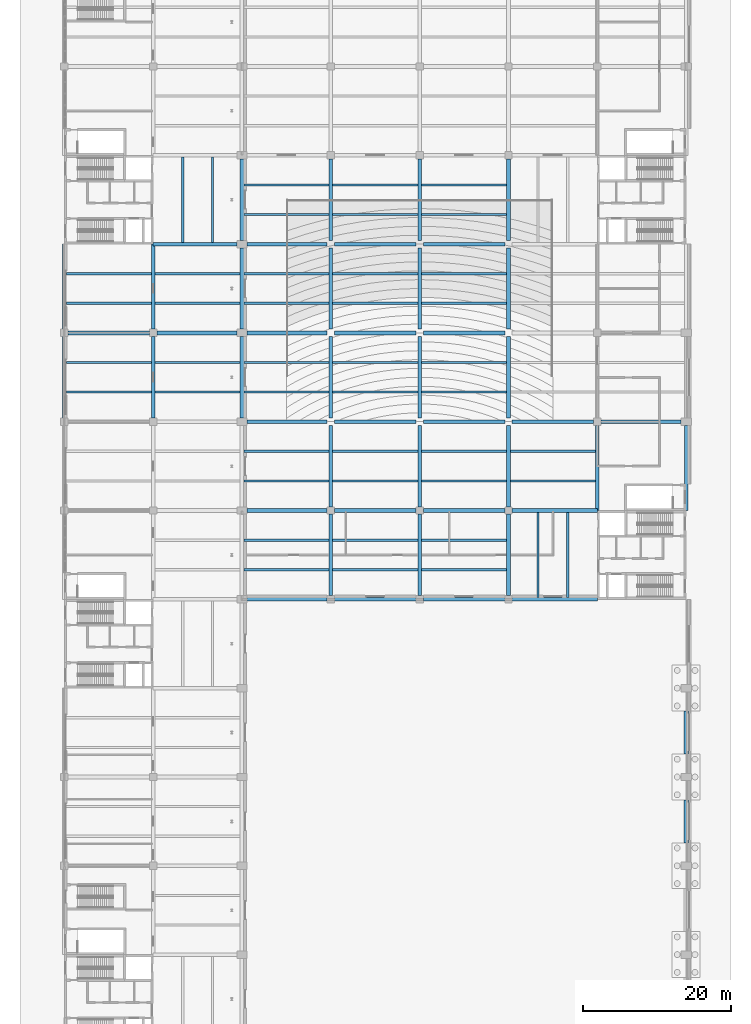
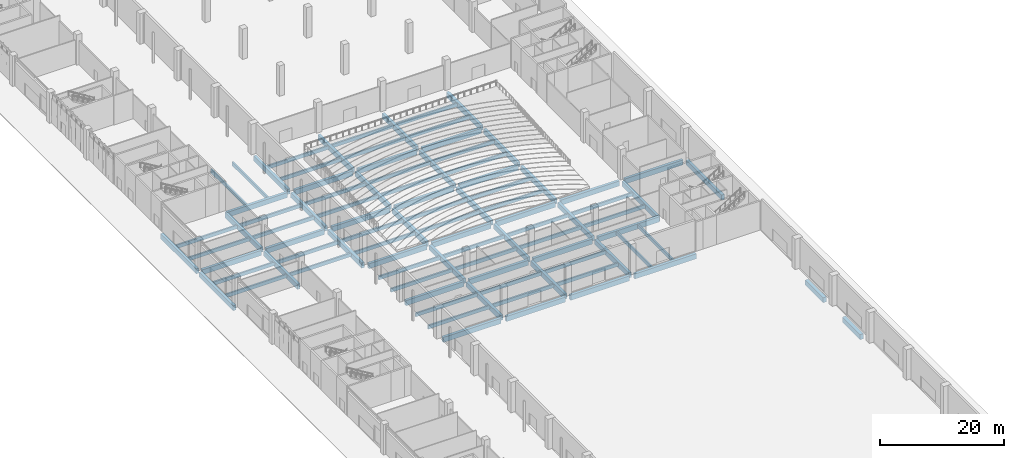
# One storey, part 14 of 59: 92 beams.
"""IFC4 building model written with IfcOpenShell, lengths in metres."""

from ifc_helpers import new_model, si_unit, direction, frame, origin, origin_2d, place, context, subcontext, project, spatial, rectangle, extrude, material, material_profile, profile_set, type_object, element, save


model = new_model("IFC4")

# Units and contexts
model_context = context("Model", 3, precision=1e-05, world=origin(), true_north=direction((0.0, 1.0)))
body_context = subcontext(model_context, "Body", "Model", "MODEL_VIEW")
ifc_project = project(units=[si_unit("LENGTHUNIT", "METRE"), si_unit("AREAUNIT", "SQUARE_METRE"), si_unit("VOLUMEUNIT", "CUBIC_METRE"), si_unit("PLANEANGLEUNIT", "RADIAN"), si_unit("MASSUNIT", "GRAM", prefix="KILO")], contexts=[model_context])

# Site, building, storey
site_placement = place(None, origin())
site = spatial("IfcSite", under=ifc_project, at=site_placement, CompositionType="ELEMENT")
building_placement = place(site_placement, origin())
building = spatial("IfcBuilding", under=site, at=building_placement, Name="Lilac Gate Convention Centre", CompositionType="ELEMENT")
storey_placement = place(building_placement, origin())
storey = spatial("IfcBuildingStorey", under=building, at=storey_placement, Name="L00", CompositionType="ELEMENT", Elevation=0.0)

# Beams
ifc_material = material(Name="Concrete C40", Category="concrete")
ifc_material_profile_1 = material_profile(ifc_material, rectangle(XDim=0.60009765625, YDim=1.0, at=origin_2d()), Name="RC 600x1000")
ifc_profile_set_1 = profile_set([ifc_material_profile_1], Name="Concrete C40")
beam_type_1 = type_object("IfcBeamType", Name="Ground beam 600x1000 C40", PredefinedType="BEAM", material=ifc_profile_set_1)
for number, where, z_axis, x_axis, name in (
    (1, (90.0, 69.10009765625, -1.10009765625), (0.0, 1.0, 0.0), (-1.0, 0.0, 0.0), "GB1 ground beam PC2-PC2"),
    (2, (90.0, 81.10009765625, -1.10009765625), (0.0, 1.0, 0.0), (-1.0, 0.0, 0.0), "GB1 ground beam PC2-PC2"),
):
    element("IfcBeam", number, at=place(storey_placement, frame(where, z_axis=z_axis, x_axis=x_axis)), inside=storey, type_object=beam_type_1, Name=name, PredefinedType="BEAM", context=body_context, shape_type="SweptSolid", body=[
        extrude(rectangle(XDim=0.60009765625, YDim=1.0, at=origin_2d()), origin(), (0.0, 0.0, 1.0), 5.7998046875),
    ])
ifc_material_profile_2 = material_profile(ifc_material, rectangle(XDim=0.5, YDim=1.0, at=origin_2d()), Name="RC 500x1000")
ifc_profile_set_2 = profile_set([ifc_material_profile_2], Name="Concrete C40")
beam_type_2 = type_object("IfcBeamType", Name="Primary beam 500x1000 C40", PredefinedType="BEAM", material=ifc_profile_set_2)
beam_1_placement = place(storey_placement, frame((30.699951171875, 102.0, -0.800048828125), z_axis=(1.0, 0.0, 0.0), x_axis=(0.0, 1.0, 0.0)))
element("IfcBeam", 3, at=beam_1_placement, inside=storey, type_object=beam_type_2, Name="RB1 L00 3/G-4/G", PredefinedType="BEAM", context=body_context, shape_type="SweptSolid", body=[
    extrude(rectangle(XDim=0.5, YDim=1.0, at=origin_2d()), origin(), (0.0, 0.0, 1.0), 10.800048828125),
])
for number, where, z_axis, x_axis, name in (
    (4, (42.5, 102.0, -0.800048828125), (1.0, 0.0, 0.0), (0.0, 1.0, 0.0), "RB1 L00 4/G-5/G"),
    (5, (54.5, 102.0, -0.800048828125), (1.0, 0.0, 0.0), (0.0, 1.0, 0.0), "RB1 L00 5/G-6/G"),
):
    element("IfcBeam", number, at=place(storey_placement, frame(where, z_axis=z_axis, x_axis=x_axis)), inside=storey, type_object=beam_type_2, Name=name, PredefinedType="BEAM", context=body_context, shape_type="SweptSolid", body=[
        extrude(rectangle(XDim=0.5, YDim=1.0, at=origin_2d()), origin(), (0.0, 0.0, 1.0), 11.0),
    ])
beam_2_placement = place(storey_placement, frame((66.5, 102.0, -0.800048828125), z_axis=(1.0, 0.0, 0.0), x_axis=(0.0, 1.0, 0.0)))
element("IfcBeam", 6, at=beam_2_placement, inside=storey, type_object=beam_type_2, Name="RB1 L00 6/G-7/G", PredefinedType="BEAM", context=body_context, shape_type="SweptSolid", body=[
    extrude(rectangle(XDim=0.5, YDim=1.0, at=origin_2d()), origin(), (0.0, 0.0, 1.0), 11.5),
])
beam_3_placement = place(storey_placement, frame((30.699951171875, 114.0, -0.800048828125), z_axis=(1.0, 0.0, 0.0), x_axis=(0.0, 1.0, 0.0)))
element("IfcBeam", 7, at=beam_3_placement, inside=storey, type_object=beam_type_2, Name="RB1 L00 3/H-4/H", PredefinedType="BEAM", context=body_context, shape_type="SweptSolid", body=[
    extrude(rectangle(XDim=0.5, YDim=1.0, at=origin_2d()), origin(), (0.0, 0.0, 1.0), 10.800048828125),
])
for number, where, z_axis, x_axis, name in (
    (8, (42.5, 114.0, -0.800048828125), (1.0, 0.0, 0.0), (0.0, 1.0, 0.0), "RB1 L00 4/H-5/H"),
    (9, (54.5, 114.0, -0.800048828125), (1.0, 0.0, 0.0), (0.0, 1.0, 0.0), "RB1 L00 5/H-6/H"),
):
    element("IfcBeam", number, at=place(storey_placement, frame(where, z_axis=z_axis, x_axis=x_axis)), inside=storey, type_object=beam_type_2, Name=name, PredefinedType="BEAM", context=body_context, shape_type="SweptSolid", body=[
        extrude(rectangle(XDim=0.5, YDim=1.0, at=origin_2d()), origin(), (0.0, 0.0, 1.0), 11.0),
    ])
beam_4_placement = place(storey_placement, frame((66.5, 114.0, -0.800048828125), z_axis=(1.0, 0.0, 0.0), x_axis=(0.0, 1.0, 0.0)))
element("IfcBeam", 10, at=beam_4_placement, inside=storey, type_object=beam_type_2, Name="RB1 L00 6/H-7/H", PredefinedType="BEAM", context=body_context, shape_type="SweptSolid", body=[
    extrude(rectangle(XDim=0.5, YDim=1.0, at=origin_2d()), origin(), (0.0, 0.0, 1.0), 11.5),
])
beam_5_placement = place(storey_placement, frame((30.699951171875, 126.0, -0.800048828125), z_axis=(1.0, 0.0, 0.0), x_axis=(0.0, 1.0, 0.0)))
element("IfcBeam", 11, at=beam_5_placement, inside=storey, type_object=beam_type_2, Name="RB1 L00 3/J-4/J", PredefinedType="BEAM", context=body_context, shape_type="SweptSolid", body=[
    extrude(rectangle(XDim=0.5, YDim=1.0, at=origin_2d()), origin(), (0.0, 0.0, 1.0), 10.800048828125),
])
for number, where, z_axis, x_axis, name in (
    (12, (42.5, 126.0, -0.800048828125), (1.0, 0.0, 0.0), (0.0, 1.0, 0.0), "RB1 L00 4/J-5/J"),
    (13, (54.5, 126.0, -0.800048828125), (1.0, 0.0, 0.0), (0.0, 1.0, 0.0), "RB1 L00 5/J-6/J"),
    (14, (66.5, 126.0, -0.800048828125), (1.0, 0.0, 0.0), (0.0, 1.0, 0.0), "RB1 L00 6/J-7/J"),
):
    element("IfcBeam", number, at=place(storey_placement, frame(where, z_axis=z_axis, x_axis=x_axis)), inside=storey, type_object=beam_type_2, Name=name, PredefinedType="BEAM", context=body_context, shape_type="SweptSolid", body=[
        extrude(rectangle(XDim=0.5, YDim=1.0, at=origin_2d()), origin(), (0.0, 0.0, 1.0), 11.0),
    ])
beam_6_placement = place(storey_placement, frame((78.5, 126.0, -0.800048828125), z_axis=(1.0, 0.0, 0.0), x_axis=(0.0, 1.0, 0.0)))
element("IfcBeam", 15, at=beam_6_placement, inside=storey, type_object=beam_type_2, Name="RB1 L00 7/J-8/J", PredefinedType="BEAM", context=body_context, shape_type="SweptSolid", body=[
    extrude(rectangle(XDim=0.5, YDim=1.0, at=origin_2d()), origin(), (0.0, 0.0, 1.0), 10.800048828125),
])
beam_7_placement = place(storey_placement, frame((6.5, 138.0, -0.800048828125), z_axis=(1.0, 0.0, 0.0), x_axis=(0.0, 1.0, 0.0)))
element("IfcBeam", 16, at=beam_7_placement, inside=storey, type_object=beam_type_2, Name="RB1 L00 1/K-2/K", PredefinedType="BEAM", context=body_context, shape_type="SweptSolid", body=[
    extrude(rectangle(XDim=0.5, YDim=1.0, at=origin_2d()), origin(), (0.0, 0.0, 1.0), 11.0),
])
for number, where, z_axis, x_axis, name in (
    (17, (18.5, 138.0, -0.800048828125), (1.0, 0.0, 0.0), (0.0, 1.0, 0.0), "RB1 L00 2/K-3/K"),
    (18, (30.699951171875, 138.0, -0.800048828125), (1.0, 0.0, 0.0), (0.0, 1.0, 0.0), "RB1 L00 3/K-4/K"),
):
    element("IfcBeam", number, at=place(storey_placement, frame(where, z_axis=z_axis, x_axis=x_axis)), inside=storey, type_object=beam_type_2, Name=name, PredefinedType="BEAM", context=body_context, shape_type="SweptSolid", body=[
        extrude(rectangle(XDim=0.5, YDim=1.0, at=origin_2d()), origin(), (0.0, 0.0, 1.0), 10.800048828125),
    ])
for number, where, z_axis, x_axis, name in (
    (19, (42.5, 138.0, -0.800048828125), (1.0, 0.0, 0.0), (0.0, 1.0, 0.0), "RB1 L00 4/K-5/K"),
    (20, (54.5, 138.0, -0.800048828125), (1.0, 0.0, 0.0), (0.0, 1.0, 0.0), "RB1 L00 5/K-6/K"),
):
    element("IfcBeam", number, at=place(storey_placement, frame(where, z_axis=z_axis, x_axis=x_axis)), inside=storey, type_object=beam_type_2, Name=name, PredefinedType="BEAM", context=body_context, shape_type="SweptSolid", body=[
        extrude(rectangle(XDim=0.5, YDim=1.0, at=origin_2d()), origin(), (0.0, 0.0, 1.0), 11.0),
    ])
beam_8_placement = place(storey_placement, frame((18.0, 150.0, -0.800048828125), z_axis=(1.0, 0.0, 0.0), x_axis=(0.0, 1.0, 0.0)))
element("IfcBeam", 21, at=beam_8_placement, inside=storey, type_object=beam_type_2, Name="RB1 L00 2/L-3/L", PredefinedType="BEAM", context=body_context, shape_type="SweptSolid", body=[
    extrude(rectangle(XDim=0.5, YDim=1.0, at=origin_2d()), origin(), (0.0, 0.0, 1.0), 11.300048828125),
])
beam_9_placement = place(storey_placement, frame((30.699951171875, 150.0, -0.800048828125), z_axis=(1.0, 0.0, 0.0), x_axis=(0.0, 1.0, 0.0)))
element("IfcBeam", 22, at=beam_9_placement, inside=storey, type_object=beam_type_2, Name="RB1 L00 3/L-4/L", PredefinedType="BEAM", context=body_context, shape_type="SweptSolid", body=[
    extrude(rectangle(XDim=0.5, YDim=1.0, at=origin_2d()), origin(), (0.0, 0.0, 1.0), 10.800048828125),
])
for number, where, z_axis, x_axis, name in (
    (23, (42.5, 150.0, -0.800048828125), (1.0, 0.0, 0.0), (0.0, 1.0, 0.0), "RB1 L00 4/L-5/L"),
    (24, (54.5, 150.0, -0.800048828125), (1.0, 0.0, 0.0), (0.0, 1.0, 0.0), "RB1 L00 5/L-6/L"),
    (25, (6.0, 126.5, -0.800048828125), (0.0, 1.0, 0.0), (-1.0, 0.0, 0.0), "RB1 L00 1/J-1/K"),
):
    element("IfcBeam", number, at=place(storey_placement, frame(where, z_axis=z_axis, x_axis=x_axis)), inside=storey, type_object=beam_type_2, Name=name, PredefinedType="BEAM", context=body_context, shape_type="SweptSolid", body=[
        extrude(rectangle(XDim=0.5, YDim=1.0, at=origin_2d()), origin(), (0.0, 0.0, 1.0), 11.0),
    ])
beam_10_placement = place(storey_placement, frame((6.0, 138.5, -0.800048828125), z_axis=(0.0, 1.0, 0.0), x_axis=(-1.0, 0.0, 0.0)))
element("IfcBeam", 26, at=beam_10_placement, inside=storey, type_object=beam_type_2, Name="RB1 L00 1/K-1/L", PredefinedType="BEAM", context=body_context, shape_type="SweptSolid", body=[
    extrude(rectangle(XDim=0.5, YDim=1.0, at=origin_2d()), origin(), (0.0, 0.0, 1.0), 11.5),
])
beam_11_placement = place(storey_placement, frame((18.0, 126.5, -0.800048828125), z_axis=(0.0, 1.0, 0.0), x_axis=(-1.0, 0.0, 0.0)))
element("IfcBeam", 27, at=beam_11_placement, inside=storey, type_object=beam_type_2, Name="RB1 L00 2/J-2/K", PredefinedType="BEAM", context=body_context, shape_type="SweptSolid", body=[
    extrude(rectangle(XDim=0.5, YDim=1.0, at=origin_2d()), origin(), (0.0, 0.0, 1.0), 11.0),
])
beam_12_placement = place(storey_placement, frame((18.0, 138.5, -0.800048828125), z_axis=(0.0, 1.0, 0.0), x_axis=(-1.0, 0.0, 0.0)))
element("IfcBeam", 28, at=beam_12_placement, inside=storey, type_object=beam_type_2, Name="RB1 L00 2/K-2/L", PredefinedType="BEAM", context=body_context, shape_type="SweptSolid", body=[
    extrude(rectangle(XDim=0.5, YDim=1.0, at=origin_2d()), origin(), (0.0, 0.0, 1.0), 11.5),
])
for number, where, z_axis, x_axis, name in (
    (29, (30.0, 126.5, -0.800048828125), (0.0, 1.0, 0.0), (-1.0, 0.0, 0.0), "RB1 L00 3/J-3/K"),
    (30, (30.0, 138.5, -0.800048828125), (0.0, 1.0, 0.0), (-1.0, 0.0, 0.0), "RB1 L00 3/K-3/L"),
    (31, (30.0, 150.5, -0.800048828125), (0.0, 1.0, 0.0), (-1.0, 0.0, 0.0), "RB1 L00 3/L-3/M"),
    (32, (42.0, 102.5, -0.800048828125), (0.0, 1.0, 0.0), (-1.0, 0.0, 0.0), "RB1 L00 4/G-4/H"),
    (33, (42.0, 114.5, -0.800048828125), (0.0, 1.0, 0.0), (-1.0, 0.0, 0.0), "RB1 L00 4/H-4/J"),
    (34, (42.0, 126.5, -0.800048828125), (0.0, 1.0, 0.0), (-1.0, 0.0, 0.0), "RB1 L00 4/J-4/K"),
    (35, (42.0, 138.5, -0.800048828125), (0.0, 1.0, 0.0), (-1.0, 0.0, 0.0), "RB1 L00 4/K-4/L"),
    (36, (42.0, 150.5, -0.800048828125), (0.0, 1.0, 0.0), (-1.0, 0.0, 0.0), "RB1 L00 4/L-4/M"),
    (37, (54.0, 102.5, -0.800048828125), (0.0, 1.0, 0.0), (-1.0, 0.0, 0.0), "RB1 L00 5/G-5/H"),
    (38, (54.0, 114.5, -0.800048828125), (0.0, 1.0, 0.0), (-1.0, 0.0, 0.0), "RB1 L00 5/H-5/J"),
    (39, (54.0, 126.5, -0.800048828125), (0.0, 1.0, 0.0), (-1.0, 0.0, 0.0), "RB1 L00 5/J-5/K"),
    (40, (54.0, 138.5, -0.800048828125), (0.0, 1.0, 0.0), (-1.0, 0.0, 0.0), "RB1 L00 5/K-5/L"),
    (41, (54.0, 150.5, -0.800048828125), (0.0, 1.0, 0.0), (-1.0, 0.0, 0.0), "RB1 L00 5/L-5/M"),
    (42, (66.0, 102.5, -0.800048828125), (0.0, 1.0, 0.0), (-1.0, 0.0, 0.0), "RB1 L00 6/G-6/H"),
    (43, (66.0, 114.5, -0.800048828125), (0.0, 1.0, 0.0), (-1.0, 0.0, 0.0), "RB1 L00 6/H-6/J"),
    (44, (66.0, 126.5, -0.800048828125), (0.0, 1.0, 0.0), (-1.0, 0.0, 0.0), "RB1 L00 6/J-6/K"),
    (45, (66.0, 138.5, -0.800048828125), (0.0, 1.0, 0.0), (-1.0, 0.0, 0.0), "RB1 L00 6/K-6/L"),
    (46, (66.0, 150.5, -0.800048828125), (0.0, 1.0, 0.0), (-1.0, 0.0, 0.0), "RB1 L00 6/L-6/M"),
):
    element("IfcBeam", number, at=place(storey_placement, frame(where, z_axis=z_axis, x_axis=x_axis)), inside=storey, type_object=beam_type_2, Name=name, PredefinedType="BEAM", context=body_context, shape_type="SweptSolid", body=[
        extrude(rectangle(XDim=0.5, YDim=1.0, at=origin_2d()), origin(), (0.0, 0.0, 1.0), 11.0),
    ])
for number, where, z_axis, x_axis, name in (
    (47, (78.0, 114.0, -0.800048828125), (0.0, 1.0, 0.0), (-1.0, 0.0, 0.0), "RB1 L00 7/H-7/J"),
    (48, (90.0, 114.0, -0.800048828125), (0.0, 1.0, 0.0), (-1.0, 0.0, 0.0), "RB1 L00 8/H-8/J"),
):
    element("IfcBeam", number, at=place(storey_placement, frame(where, z_axis=z_axis, x_axis=x_axis)), inside=storey, type_object=beam_type_2, Name=name, PredefinedType="BEAM", context=body_context, shape_type="SweptSolid", body=[
        extrude(rectangle(XDim=0.5, YDim=1.0, at=origin_2d()), origin(), (0.0, 0.0, 1.0), 11.5),
    ])
ifc_material_profile_3 = material_profile(ifc_material, rectangle(XDim=0.300048828125, YDim=0.699951171875, at=origin_2d()), Name="RC 300x700")
ifc_profile_set_3 = profile_set([ifc_material_profile_3], Name="Concrete C40")
beam_type_3 = type_object("IfcBeamType", Name="Secondary beam 300x700 C40", PredefinedType="BEAM", material=ifc_profile_set_3)
for number, where, z_axis, x_axis, name in (
    (49, (6.25, 130.0, -0.64990234375), (1.0, 0.0, 0.0), (0.0, 1.0, 0.0), "RB2 L00 bay 1/J"),
    (50, (6.25, 134.0, -0.64990234375), (1.0, 0.0, 0.0), (0.0, 1.0, 0.0), "RB2 L00 bay 1/J"),
    (51, (6.25, 142.0, -0.64990234375), (1.0, 0.0, 0.0), (0.0, 1.0, 0.0), "RB2 L00 bay 1/K"),
    (52, (6.25, 146.0, -0.64990234375), (1.0, 0.0, 0.0), (0.0, 1.0, 0.0), "RB2 L00 bay 1/K"),
    (53, (18.25, 130.0, -0.64990234375), (1.0, 0.0, 0.0), (0.0, 1.0, 0.0), "RB2 L00 bay 2/J"),
    (54, (18.25, 134.0, -0.64990234375), (1.0, 0.0, 0.0), (0.0, 1.0, 0.0), "RB2 L00 bay 2/J"),
    (55, (18.25, 142.0, -0.64990234375), (1.0, 0.0, 0.0), (0.0, 1.0, 0.0), "RB2 L00 bay 2/K"),
    (56, (18.25, 146.0, -0.64990234375), (1.0, 0.0, 0.0), (0.0, 1.0, 0.0), "RB2 L00 bay 2/K"),
    (57, (22.0, 150.25, -0.64990234375), (0.0, 1.0, 0.0), (-1.0, 0.0, 0.0), "RB2 L00 bay 2/L"),
    (58, (26.0, 150.25, -0.64990234375), (0.0, 1.0, 0.0), (-1.0, 0.0, 0.0), "RB2 L00 bay 2/L"),
    (59, (30.25, 106.0, -0.64990234375), (1.0, 0.0, 0.0), (0.0, 1.0, 0.0), "RB2 L00 bay 3/G"),
    (60, (30.25, 110.0, -0.64990234375), (1.0, 0.0, 0.0), (0.0, 1.0, 0.0), "RB2 L00 bay 3/G"),
    (61, (30.25, 118.0, -0.64990234375), (1.0, 0.0, 0.0), (0.0, 1.0, 0.0), "RB2 L00 bay 3/H"),
    (62, (30.25, 122.0, -0.64990234375), (1.0, 0.0, 0.0), (0.0, 1.0, 0.0), "RB2 L00 bay 3/H"),
    (63, (30.25, 130.0, -0.64990234375), (1.0, 0.0, 0.0), (0.0, 1.0, 0.0), "RB2 L00 bay 3/J"),
    (64, (30.25, 134.0, -0.64990234375), (1.0, 0.0, 0.0), (0.0, 1.0, 0.0), "RB2 L00 bay 3/J"),
    (65, (30.25, 142.0, -0.64990234375), (1.0, 0.0, 0.0), (0.0, 1.0, 0.0), "RB2 L00 bay 3/K"),
    (66, (30.25, 146.0, -0.64990234375), (1.0, 0.0, 0.0), (0.0, 1.0, 0.0), "RB2 L00 bay 3/K"),
    (67, (30.25, 154.0, -0.64990234375), (1.0, 0.0, 0.0), (0.0, 1.0, 0.0), "RB2 L00 bay 3/L"),
    (68, (30.25, 158.0, -0.64990234375), (1.0, 0.0, 0.0), (0.0, 1.0, 0.0), "RB2 L00 bay 3/L"),
    (69, (42.25, 106.0, -0.64990234375), (1.0, 0.0, 0.0), (0.0, 1.0, 0.0), "RB2 L00 bay 4/G"),
    (70, (42.25, 110.0, -0.64990234375), (1.0, 0.0, 0.0), (0.0, 1.0, 0.0), "RB2 L00 bay 4/G"),
    (71, (42.25, 118.0, -0.64990234375), (1.0, 0.0, 0.0), (0.0, 1.0, 0.0), "RB2 L00 bay 4/H"),
    (72, (42.25, 122.0, -0.64990234375), (1.0, 0.0, 0.0), (0.0, 1.0, 0.0), "RB2 L00 bay 4/H"),
    (73, (42.25, 130.0, -0.64990234375), (1.0, 0.0, 0.0), (0.0, 1.0, 0.0), "RB2 L00 bay 4/J"),
    (74, (42.25, 134.0, -0.64990234375), (1.0, 0.0, 0.0), (0.0, 1.0, 0.0), "RB2 L00 bay 4/J"),
    (75, (42.25, 142.0, -0.64990234375), (1.0, 0.0, 0.0), (0.0, 1.0, 0.0), "RB2 L00 bay 4/K"),
    (76, (42.25, 146.0, -0.64990234375), (1.0, 0.0, 0.0), (0.0, 1.0, 0.0), "RB2 L00 bay 4/K"),
    (77, (42.25, 154.0, -0.64990234375), (1.0, 0.0, 0.0), (0.0, 1.0, 0.0), "RB2 L00 bay 4/L"),
    (78, (42.25, 158.0, -0.64990234375), (1.0, 0.0, 0.0), (0.0, 1.0, 0.0), "RB2 L00 bay 4/L"),
    (79, (54.25, 106.0, -0.64990234375), (1.0, 0.0, 0.0), (0.0, 1.0, 0.0), "RB2 L00 bay 5/G"),
    (80, (54.25, 110.0, -0.64990234375), (1.0, 0.0, 0.0), (0.0, 1.0, 0.0), "RB2 L00 bay 5/G"),
    (81, (54.25, 118.0, -0.64990234375), (1.0, 0.0, 0.0), (0.0, 1.0, 0.0), "RB2 L00 bay 5/H"),
    (82, (54.25, 122.0, -0.64990234375), (1.0, 0.0, 0.0), (0.0, 1.0, 0.0), "RB2 L00 bay 5/H"),
    (83, (54.25, 130.0, -0.64990234375), (1.0, 0.0, 0.0), (0.0, 1.0, 0.0), "RB2 L00 bay 5/J"),
    (84, (54.25, 134.0, -0.64990234375), (1.0, 0.0, 0.0), (0.0, 1.0, 0.0), "RB2 L00 bay 5/J"),
    (85, (54.25, 142.0, -0.64990234375), (1.0, 0.0, 0.0), (0.0, 1.0, 0.0), "RB2 L00 bay 5/K"),
    (86, (54.25, 146.0, -0.64990234375), (1.0, 0.0, 0.0), (0.0, 1.0, 0.0), "RB2 L00 bay 5/K"),
    (87, (54.25, 154.0, -0.64990234375), (1.0, 0.0, 0.0), (0.0, 1.0, 0.0), "RB2 L00 bay 5/L"),
    (88, (54.25, 158.0, -0.64990234375), (1.0, 0.0, 0.0), (0.0, 1.0, 0.0), "RB2 L00 bay 5/L"),
    (89, (70.0, 102.25, -0.64990234375), (0.0, 1.0, 0.0), (-1.0, 0.0, 0.0), "RB2 L00 bay 6/G"),
    (90, (74.0, 102.25, -0.64990234375), (0.0, 1.0, 0.0), (-1.0, 0.0, 0.0), "RB2 L00 bay 6/G"),
    (91, (66.25, 118.0, -0.64990234375), (1.0, 0.0, 0.0), (0.0, 1.0, 0.0), "RB2 L00 bay 6/H"),
    (92, (66.25, 122.0, -0.64990234375), (1.0, 0.0, 0.0), (0.0, 1.0, 0.0), "RB2 L00 bay 6/H"),
):
    element("IfcBeam", number, at=place(storey_placement, frame(where, z_axis=z_axis, x_axis=x_axis)), inside=storey, type_object=beam_type_3, Name=name, PredefinedType="BEAM", context=body_context, shape_type="SweptSolid", body=[
        extrude(rectangle(XDim=0.300048828125, YDim=0.699951171875, at=origin_2d()), origin(), (0.0, 0.0, 1.0), 11.5),
    ])

save(model, "model.ifc")
